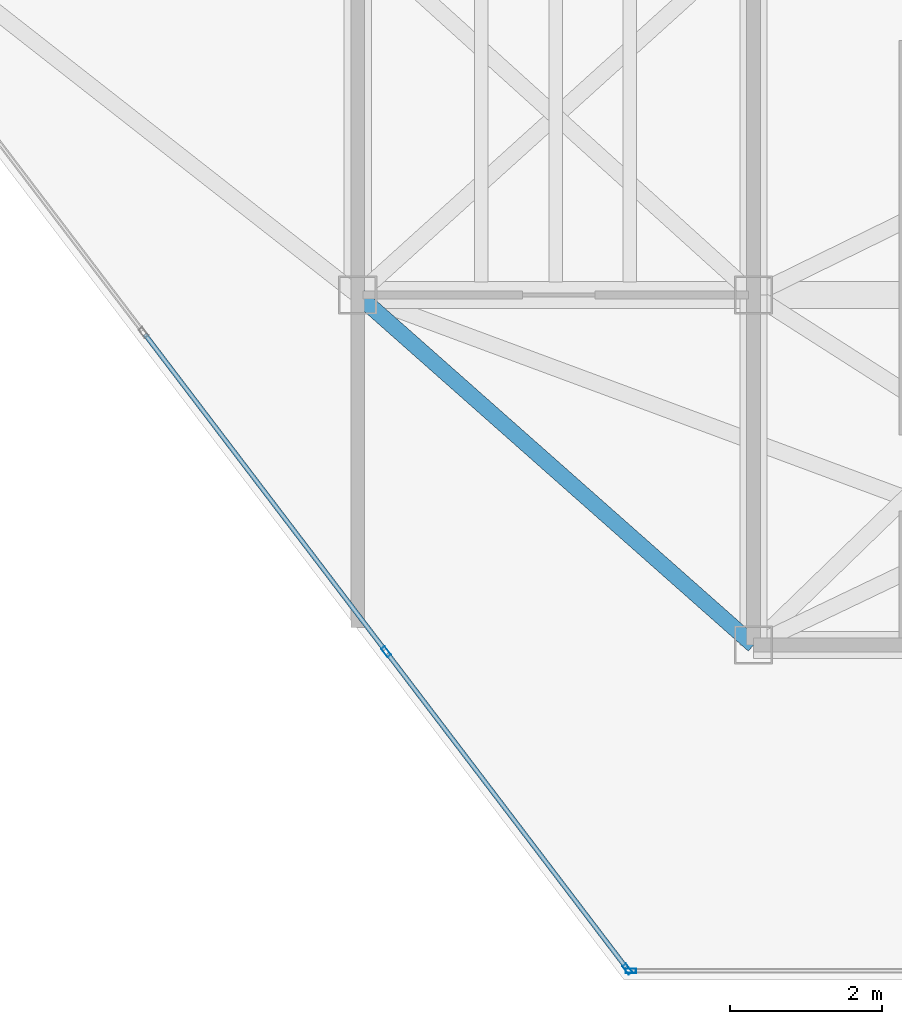
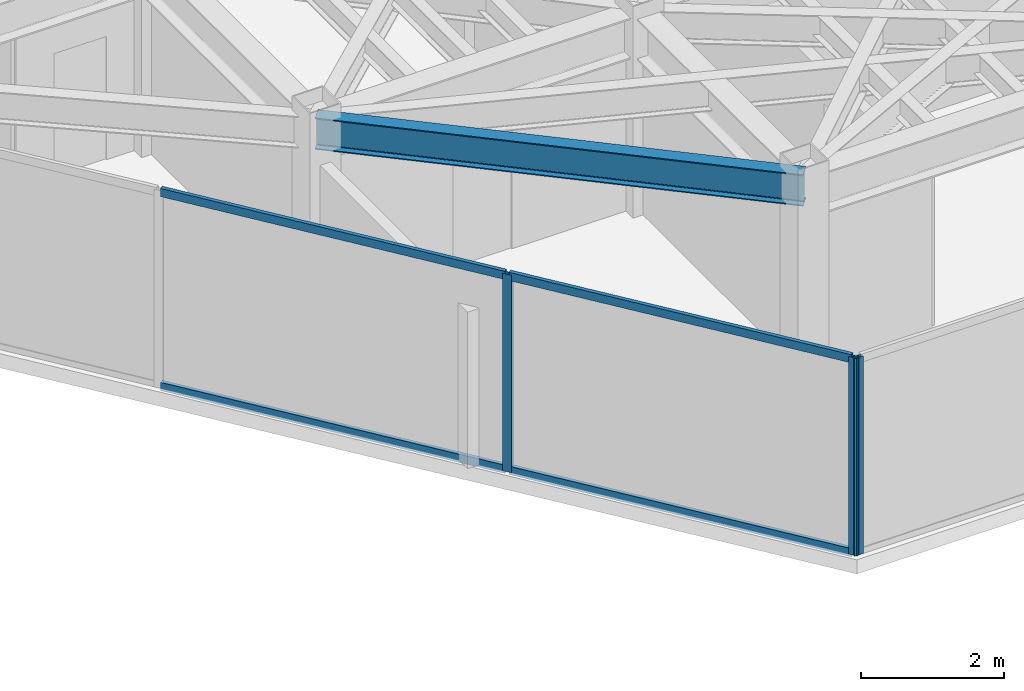
# One storey, part 6 of 17: 7 members, 1 beam, 2 elements without a shape of their own.
"""IFC4 building model written with IfcOpenShell, lengths in metres."""

from ifc_helpers import new_model, si_unit, direction, frame, origin, origin_2d, place, context, subcontext, project, spatial, hollow_rectangle, i_section, extrude, material, layer, layer_set, material_profile, profile_set, type_object, element, aggregate, save


model = new_model("IFC4")

# Units and contexts
model_context = context("Model", 3, precision=1e-05, world=origin(), true_north=direction((0.0, 1.0)))
body_context = subcontext(model_context, "Body", "Model", "MODEL_VIEW")
ifc_project = project(units=[si_unit("LENGTHUNIT", "METRE"), si_unit("AREAUNIT", "SQUARE_METRE"), si_unit("VOLUMEUNIT", "CUBIC_METRE"), si_unit("PLANEANGLEUNIT", "RADIAN"), si_unit("MASSUNIT", "GRAM", prefix="KILO")], contexts=[model_context])

# Site, building, storey
site_placement = place(None, origin())
site = spatial("IfcSite", under=ifc_project, at=site_placement, CompositionType="ELEMENT")
building_placement = place(site_placement, origin())
building = spatial("IfcBuilding", under=site, at=building_placement, Name="Kravanh Interchange Tower", CompositionType="ELEMENT")
storey_placement = place(building_placement, frame((0.0, 0.0, 256.199951171875)))
storey = spatial("IfcBuildingStorey", under=building, at=storey_placement, Name="L62", CompositionType="ELEMENT", Elevation=256.199951171875)

# Curtain wall, member
ifc_material_1 = material(Name="Anodised Bronze Aluminium", Category="aluminium")
ifc_layer = layer(ifc_material_1, 0.179931640625)
ifc_layer_set = layer_set([ifc_layer], Name="Unitised Curtain Wall System CW-HTL Luxury Hotel")
curtain_wall_type = type_object("IfcCurtainWallType", Name="Unitised Curtain Wall System CW-HTL Luxury Hotel", PredefinedType="NOTDEFINED", material=ifc_layer_set)
curtain_wall_1_placement = place(storey_placement, origin())
curtain_wall_1 = element("IfcCurtainWall", 1, at=curtain_wall_1_placement, inside=storey, type_object=curtain_wall_type, Name="L62 Unitised Curtain Wall CW-L62-02", PredefinedType="NOTDEFINED")
ifc_material_2 = material(Name="Anodised Bronze Aluminium", Category="aluminium")
ifc_material_profile_1 = material_profile(ifc_material_2, hollow_rectangle(XDim=0.06005859375, YDim=0.139892578125, WallThickness=0.00390625, at=origin_2d()), Name="ALU60X140X4")
ifc_profile_set_1 = profile_set([ifc_material_profile_1], Name="Anodised Bronze Aluminium")
member_type_1 = type_object("IfcMemberType", Name="Curtain Wall Mullion ALU60X140X4 Bronze", PredefinedType="MULLION", material=ifc_profile_set_1)
member_1_placement = place(storey_placement, frame((54.389404296875, 17.919921875, 0.0), z_axis=(0.0, 0.0, 1.0), x_axis=(0.0, -1.0, 0.0)))
member_1 = element("IfcMember", 2, at=member_1_placement, type_object=member_type_1, Name="CW-HTL mullion 3", PredefinedType="MULLION", context=body_context, shape_type="SweptSolid", body=[
    extrude(hollow_rectangle(XDim=0.06005859375, YDim=0.139892578125, WallThickness=0.00390625, at=origin_2d()), origin(), (0.0, 0.0, 1.0), 3.360107421875),
])
aggregate(curtain_wall_1, [member_1])

# Curtain wall, members
curtain_wall_2_placement = place(storey_placement, origin())
curtain_wall_2 = element("IfcCurtainWall", 3, at=curtain_wall_2_placement, inside=storey, type_object=curtain_wall_type, Name="L62 Unitised Curtain Wall CW-L62-03", PredefinedType="NOTDEFINED")
member_2_placement = place(storey_placement, frame((54.34130859375, 17.94384765625, 0.0), z_axis=(0.0, 0.0, 1.0), x_axis=(-0.79616243806, -0.605082946564, 0.0)))
member_2 = element("IfcMember", 4, at=member_2_placement, type_object=member_type_1, Name="CW-HTL mullion 1", PredefinedType="MULLION", context=body_context, shape_type="SweptSolid", body=[
    extrude(hollow_rectangle(XDim=0.06005859375, YDim=0.139892578125, WallThickness=0.00390625, at=origin_2d()), origin(), (0.0, 0.0, 1.0), 3.360107421875),
])
member_3_placement = place(storey_placement, frame((51.173095703125, 22.11279296875, 0.0), z_axis=(0.0, 0.0, 1.0), x_axis=(-0.79616243806, -0.605082946564, 0.0)))
member_3 = element("IfcMember", 5, at=member_3_placement, type_object=member_type_1, Name="CW-HTL mullion 2", PredefinedType="MULLION", context=body_context, shape_type="SweptSolid", body=[
    extrude(hollow_rectangle(XDim=0.06005859375, YDim=0.139892578125, WallThickness=0.00390625, at=origin_2d()), origin(), (0.0, 0.0, 1.0), 3.360107421875),
])
ifc_material_3 = material(Name="Anodised Bronze Aluminium", Category="aluminium")
ifc_material_profile_2 = material_profile(ifc_material_3, hollow_rectangle(XDim=0.06005859375, YDim=0.139892578125, WallThickness=0.00390625, at=origin_2d()), Name="ALU60X140X4")
ifc_profile_set_2 = profile_set([ifc_material_profile_2], Name="Anodised Bronze Aluminium")
member_type_2 = type_object("IfcMemberType", Name="Curtain Wall Transom ALU60X140X4 Bronze", PredefinedType="USERDEFINED", material=ifc_profile_set_2)
member_4_placement = place(storey_placement, frame((54.3232421875, 17.9677734375, 0.030029296875), z_axis=(-0.605089246946, 0.796157649734, 0.0), x_axis=(-0.796157649734, -0.605089246946, 0.0)))
member_4 = element("IfcMember", 6, at=member_4_placement, type_object=member_type_2, Name="CW-HTL transom 1.1", ObjectType="TRANSOM", PredefinedType="USERDEFINED", context=body_context, shape_type="SweptSolid", body=[
    extrude(hollow_rectangle(XDim=0.06005859375, YDim=0.139892578125, WallThickness=0.00390625, at=origin_2d()), origin(), (0.0, 0.0, 1.0), 5.17626953125),
])
member_5_placement = place(storey_placement, frame((54.3232421875, 17.9677734375, 3.330078125), z_axis=(-0.605089246946, 0.796157649734, 0.0), x_axis=(-0.796157649734, -0.605089246946, 0.0)))
member_5 = element("IfcMember", 7, at=member_5_placement, type_object=member_type_2, Name="CW-HTL transom 1.2", ObjectType="TRANSOM", PredefinedType="USERDEFINED", context=body_context, shape_type="SweptSolid", body=[
    extrude(hollow_rectangle(XDim=0.06005859375, YDim=0.139892578125, WallThickness=0.00390625, at=origin_2d()), origin(), (0.0, 0.0, 1.0), 5.17626953125),
])
member_6_placement = place(storey_placement, frame((51.15478515625, 22.13671875, 0.030029296875), z_axis=(-0.605074944506, 0.796168519555, 0.0), x_axis=(-0.796168519555, -0.605074944506, 0.0)))
member_6 = element("IfcMember", 8, at=member_6_placement, type_object=member_type_2, Name="CW-HTL transom 2.1", ObjectType="TRANSOM", PredefinedType="USERDEFINED", context=body_context, shape_type="SweptSolid", body=[
    extrude(hollow_rectangle(XDim=0.06005859375, YDim=0.139892578125, WallThickness=0.00390625, at=origin_2d()), origin(), (0.0, 0.0, 1.0), 5.206298828125),
])
member_7_placement = place(storey_placement, frame((51.15478515625, 22.13671875, 3.330078125), z_axis=(-0.605074944506, 0.796168519555, 0.0), x_axis=(-0.796168519555, -0.605074944506, 0.0)))
member_7 = element("IfcMember", 9, at=member_7_placement, type_object=member_type_2, Name="CW-HTL transom 2.2", ObjectType="TRANSOM", PredefinedType="USERDEFINED", context=body_context, shape_type="SweptSolid", body=[
    extrude(hollow_rectangle(XDim=0.06005859375, YDim=0.139892578125, WallThickness=0.00390625, at=origin_2d()), origin(), (0.0, 0.0, 1.0), 5.206298828125),
])
aggregate(curtain_wall_2, [member_2, member_3, member_4, member_5, member_6, member_7])

# Beam
ifc_material_4 = material(Name="Structural Steel S355", Category="steel")
ifc_material_profile_3 = material_profile(ifc_material_4, i_section(OverallWidth=0.2099609375, OverallDepth=0.537109375, WebThickness=0.010986328125, FlangeThickness=0.017333984375, FilletRadius=0.02001953125, at=origin_2d()), Name="W21X68")
ifc_profile_set_3 = profile_set([ifc_material_profile_3], Name="Structural Steel S355")
beam_type = type_object("IfcBeamType", Name="Floor Spandrel W21X68 Structural Steel S355", PredefinedType="SPANDREL", material=ifc_profile_set_3)
beam_placement = place(storey_placement, frame((50.800048828125, 26.800048828125, 3.091552734375), z_axis=(0.74898649432, -0.662585263439, 0.0), x_axis=(0.662585263439, 0.74898649432, 0.0)))
element("IfcBeam", 10, at=beam_placement, inside=storey, type_object=beam_type, Name="L62 Perimeter Spandrel 32", PredefinedType="SPANDREL", context=body_context, shape_type="SweptSolid", body=[
    extrude(i_section(OverallWidth=0.2099609375, OverallDepth=0.537109375, WebThickness=0.010986328125, FlangeThickness=0.017333984375, FilletRadius=0.02001953125, at=origin_2d()), origin(), (0.0, 0.0, 1.0), 6.942626953125),
])

save(model, "model.ifc")
